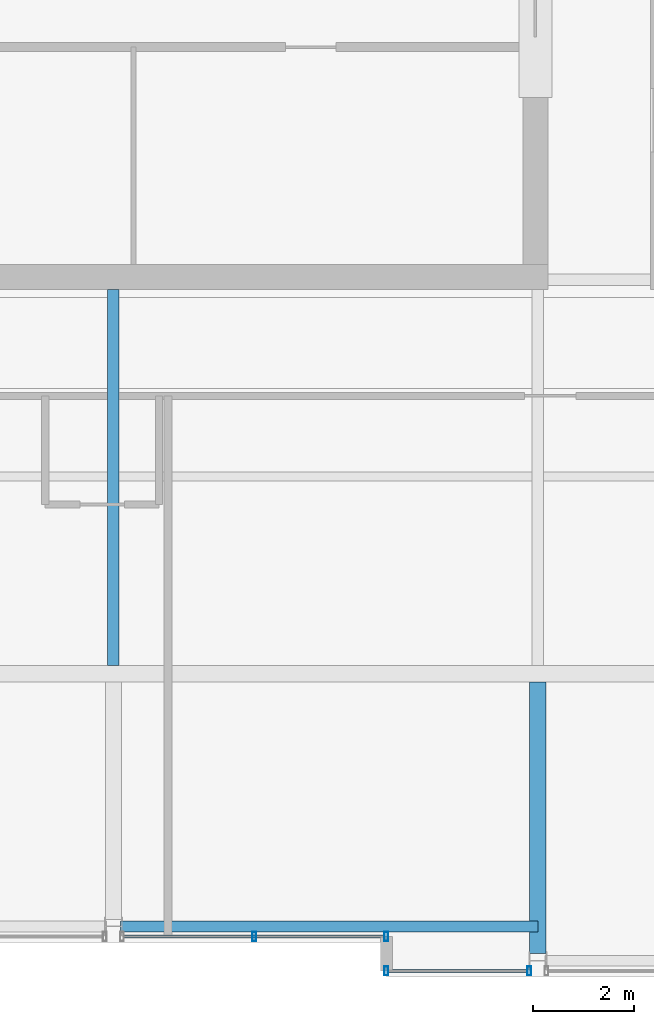
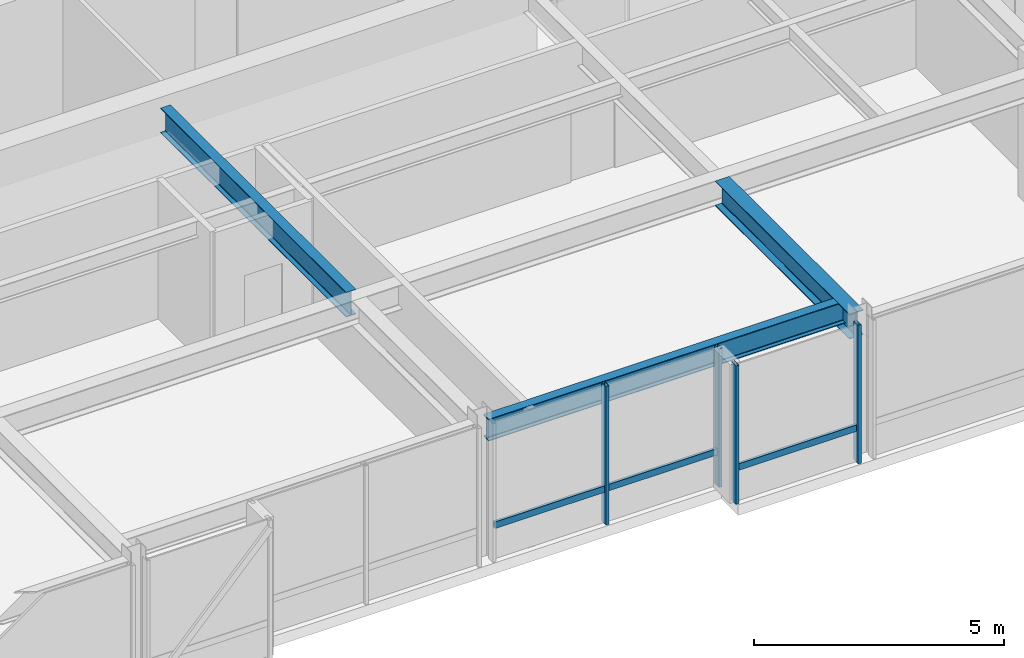
# One storey, part 9 of 33: 6 members, 3 beams, 2 elements without a shape of their own.
"""IFC4 building model written with IfcOpenShell, lengths in metres."""

from ifc_helpers import new_model, si_unit, direction, frame, origin, origin_2d, place, context, subcontext, project, spatial, hollow_rectangle, i_section, extrude, material, layer, layer_set, material_profile, profile_set, type_object, element, aggregate, save


model = new_model("IFC4")

# Units and contexts
model_context = context("Model", 3, precision=1e-05, world=origin(), true_north=direction((0.0, 1.0)))
body_context = subcontext(model_context, "Body", "Model", "MODEL_VIEW")
ifc_project = project(units=[si_unit("LENGTHUNIT", "METRE"), si_unit("AREAUNIT", "SQUARE_METRE"), si_unit("VOLUMEUNIT", "CUBIC_METRE"), si_unit("PLANEANGLEUNIT", "RADIAN"), si_unit("MASSUNIT", "GRAM", prefix="KILO")], contexts=[model_context])

# Site, building, storey
site_placement = place(None, origin())
site = spatial("IfcSite", under=ifc_project, at=site_placement, CompositionType="ELEMENT")
building_placement = place(site_placement, origin())
building = spatial("IfcBuilding", under=site, at=building_placement, Name="Drelvath Grand Hotel", CompositionType="ELEMENT")
storey_placement = place(building_placement, frame((0.0, 0.0, 283.25)))
storey = spatial("IfcBuildingStorey", under=building, at=storey_placement, Name="L74", CompositionType="ELEMENT", Elevation=283.25)

# Curtain wall, member
ifc_material_1 = material(Name="Platinum-Mist Anodised Aluminium Frame", Category="aluminium")
ifc_layer = layer(ifc_material_1, 0.199951171875)
ifc_layer_set = layer_set([ifc_layer], Name="Platinum-Mist Anodised Aluminium Frame")
curtain_wall_type = type_object("IfcCurtainWallType", Name="Stick Curtain Wall CW-05 Platinum Mist High-Rise", PredefinedType="NOTDEFINED", material=ifc_layer_set)
curtain_wall_1_placement = place(storey_placement, origin())
curtain_wall_1 = element("IfcCurtainWall", 1, at=curtain_wall_1_placement, inside=storey, type_object=curtain_wall_type, Name="L74 CW-05 Curtain Wall CW05-L74-SE1", PredefinedType="NOTDEFINED")
ifc_material_profile_1 = material_profile(ifc_material_1, hollow_rectangle(XDim=0.06494140625, YDim=0.159912109375, WallThickness=0.00390625, at=origin_2d()), Name="HSS160X65X4")
ifc_profile_set_1 = profile_set([ifc_material_profile_1], Name="Platinum-Mist Anodised Aluminium Frame")
member_type_1 = type_object("IfcMemberType", Name="Curtain Wall Horizontal Transom CW-05 HSS160X65X4", PredefinedType="USERDEFINED", material=ifc_profile_set_1)
member_1_placement = place(storey_placement, frame((8.18994140625, 4.919921875, 0.847412109375), z_axis=(-1.0, 0.0, 0.0), x_axis=(0.0, -1.0, 0.0)))
member_1 = element("IfcMember", 2, at=member_1_placement, type_object=member_type_1, Name="CW05-L74-SE1 Sill Transom", ObjectType="TRANSOM", PredefinedType="USERDEFINED", context=body_context, shape_type="SweptSolid", body=[
    extrude(hollow_rectangle(XDim=0.06494140625, YDim=0.159912109375, WallThickness=0.00390625, at=origin_2d()), origin(), (0.0, 0.0, 1.0), 2.75),
])

curtain_wall_2_placement = place(storey_placement, origin())
curtain_wall_2 = element("IfcCurtainWall", 3, at=curtain_wall_2_placement, inside=storey, type_object=curtain_wall_type, Name="L74 CW-05 Curtain Wall CW05-L74-SM2", PredefinedType="NOTDEFINED")
member_2_placement = place(storey_placement, frame((5.360107421875, 5.60009765625, 0.847412109375), z_axis=(-1.0, 0.0, 0.0), x_axis=(0.0, -1.0, 0.0)))
member_2 = element("IfcMember", 4, at=member_2_placement, type_object=member_type_1, Name="CW05-L74-SM2 Sill Transom", ObjectType="TRANSOM", PredefinedType="USERDEFINED", context=body_context, shape_type="SweptSolid", body=[
    extrude(hollow_rectangle(XDim=0.06494140625, YDim=0.159912109375, WallThickness=0.00390625, at=origin_2d()), origin(), (0.0, 0.0, 1.0), 5.14990234375),
])

# Member
ifc_material_profile_2 = material_profile(ifc_material_1, hollow_rectangle(XDim=0.074951171875, YDim=0.179931640625, WallThickness=0.0048828125, at=origin_2d()), Name="HSS180X75X5")
ifc_profile_set_2 = profile_set([ifc_material_profile_2], Name="Platinum-Mist Anodised Aluminium Frame")
member_type_2 = type_object("IfcMemberType", Name="Curtain Wall Vertical Mullion CW-05 HSS180X75X5", PredefinedType="MULLION", material=ifc_profile_set_2)
member_3_placement = place(storey_placement, frame((8.22998046875, 4.919921875, 0.0), z_axis=(0.0, 0.0, 1.0), x_axis=(1.0, 0.0, 0.0)))
member_3 = element("IfcMember", 5, at=member_3_placement, type_object=member_type_2, Name="CW05-L74-SE1 Mullion 1", PredefinedType="MULLION", context=body_context, shape_type="SweptSolid", body=[
    extrude(hollow_rectangle(XDim=0.074951171875, YDim=0.179931640625, WallThickness=0.0048828125, at=origin_2d()), origin(), (0.0, 0.0, 1.0), 3.389892578125),
])

member_4_placement = place(storey_placement, frame((5.39990234375, 4.919921875, 0.0), z_axis=(0.0, 0.0, 1.0), x_axis=(1.0, 0.0, 0.0)))
member_4 = element("IfcMember", 6, at=member_4_placement, type_object=member_type_2, Name="CW05-L74-SE1 Mullion 2", PredefinedType="MULLION", context=body_context, shape_type="SweptSolid", body=[
    extrude(hollow_rectangle(XDim=0.074951171875, YDim=0.179931640625, WallThickness=0.0048828125, at=origin_2d()), origin(), (0.0, 0.0, 1.0), 3.389892578125),
])

aggregate(curtain_wall_1, [member_3, member_4, member_1])

member_5_placement = place(storey_placement, frame((5.39990234375, 5.60009765625, 0.0), z_axis=(0.0, 0.0, 1.0), x_axis=(1.0, 0.0, 0.0)))
member_5 = element("IfcMember", 7, at=member_5_placement, type_object=member_type_2, Name="CW05-L74-SM2 Mullion 1", PredefinedType="MULLION", context=body_context, shape_type="SweptSolid", body=[
    extrude(hollow_rectangle(XDim=0.074951171875, YDim=0.179931640625, WallThickness=0.0048828125, at=origin_2d()), origin(), (0.0, 0.0, 1.0), 3.389892578125),
])

member_6_placement = place(storey_placement, frame((2.78515625, 5.60009765625, 0.0), z_axis=(0.0, 0.0, 1.0), x_axis=(1.0, 0.0, 0.0)))
member_6 = element("IfcMember", 8, at=member_6_placement, type_object=member_type_2, Name="CW05-L74-SM2 Mullion 2", PredefinedType="MULLION", context=body_context, shape_type="SweptSolid", body=[
    extrude(hollow_rectangle(XDim=0.074951171875, YDim=0.179931640625, WallThickness=0.0048828125, at=origin_2d()), origin(), (0.0, 0.0, 1.0), 3.389892578125),
])

aggregate(curtain_wall_2, [member_5, member_6, member_2])

# Beams
ifc_material_2 = material(Name="Steel ASTM A992 Gr 50", Category="steel")
ifc_material_profile_3 = material_profile(ifc_material_2, i_section(OverallWidth=0.210205078125, OverallDepth=0.53662109375, WebThickness=0.010986328125, FlangeThickness=0.017333984375, FilletRadius=0.01806640625, at=origin_2d()), Name="W21X68")
ifc_profile_set_3 = profile_set([ifc_material_profile_3], Name="Steel ASTM A992 Gr 50")
beam_type_1 = type_object("IfcBeamType", Name="Perimeter Spandrel Beam W21X68", PredefinedType="SPANDREL", material=ifc_profile_set_3)
beam_1_placement = place(storey_placement, frame((0.139892578125, 5.800048828125, 3.12158203125), z_axis=(1.0, 0.0, 0.0), x_axis=(0.0, 1.0, 0.0)))
element("IfcBeam", 9, at=beam_1_placement, inside=storey, type_object=beam_type_1, Name="L74 Spandrel South Mid E", PredefinedType="SPANDREL", context=body_context, shape_type="SweptSolid", body=[
    extrude(i_section(OverallWidth=0.210205078125, OverallDepth=0.53662109375, WebThickness=0.010986328125, FlangeThickness=0.017333984375, FilletRadius=0.01806640625, at=origin_2d()), origin(), (0.0, 0.0, 1.0), 8.260009765625),
])
ifc_material_profile_4 = material_profile(ifc_material_2, i_section(OverallWidth=0.323974609375, OverallDepth=0.611083984375, WebThickness=0.0126953125, FlangeThickness=0.01904296875, FilletRadius=0.02197265625, at=origin_2d()), Name="W24X104")
ifc_profile_set_4 = profile_set([ifc_material_profile_4], Name="Steel ASTM A992 Gr 50")
beam_type_2 = type_object("IfcBeamType", Name="Primary Floor Girder W24X104", PredefinedType="BEAM", material=ifc_profile_set_4)
beam_2_placement = place(storey_placement, frame((8.39990234375, 5.260009765625, 3.08447265625), z_axis=(0.0, 1.0, 0.0), x_axis=(-1.0, 0.0, 0.0)))
element("IfcBeam", 10, at=beam_2_placement, inside=storey, type_object=beam_type_2, Name="L74 South Wing Girder 6", PredefinedType="BEAM", context=body_context, shape_type="SweptSolid", body=[
    extrude(i_section(OverallWidth=0.323974609375, OverallDepth=0.611083984375, WebThickness=0.0126953125, FlangeThickness=0.01904296875, FilletRadius=0.02197265625, at=origin_2d()), origin(), (0.0, 0.0, 1.0), 5.3779296875),
])
ifc_material_profile_5 = material_profile(ifc_material_2, i_section(OverallWidth=0.228271484375, OverallDepth=0.607666015625, WebThickness=0.01123046875, FlangeThickness=0.017333984375, FilletRadius=0.02001953125, at=origin_2d()), Name="W24X76")
ifc_profile_set_5 = profile_set([ifc_material_profile_5], Name="Steel ASTM A992 Gr 50")
beam_type_3 = type_object("IfcBeamType", Name="Primary Floor Girder W24X76", PredefinedType="BEAM", material=ifc_profile_set_5)
beam_3_placement = place(storey_placement, frame((0.0, 10.9619140625, 3.086181640625), z_axis=(0.0, 1.0, 0.0), x_axis=(-1.0, 0.0, 0.0)))
element("IfcBeam", 11, at=beam_3_placement, inside=storey, type_object=beam_type_3, Name="L74 South Core Tie 5", PredefinedType="BEAM", context=body_context, shape_type="SweptSolid", body=[
    extrude(i_section(OverallWidth=0.228271484375, OverallDepth=0.607666015625, WebThickness=0.01123046875, FlangeThickness=0.017333984375, FilletRadius=0.02001953125, at=origin_2d()), origin(), (0.0, 0.0, 1.0), 7.43798828125),
])

save(model, "model.ifc")
